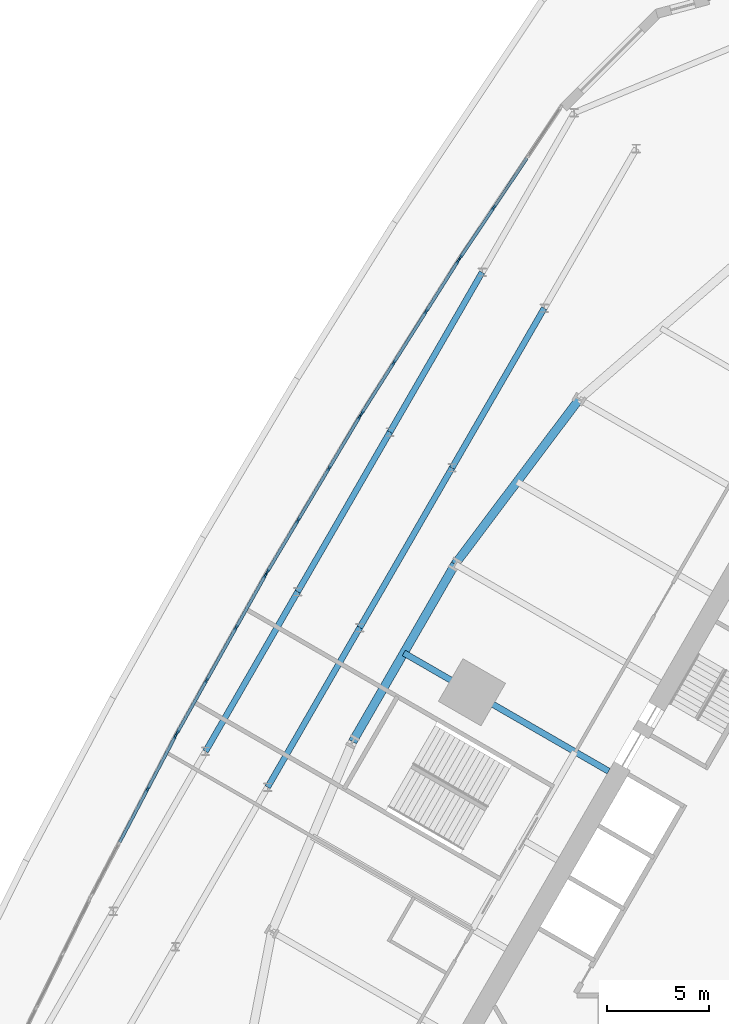
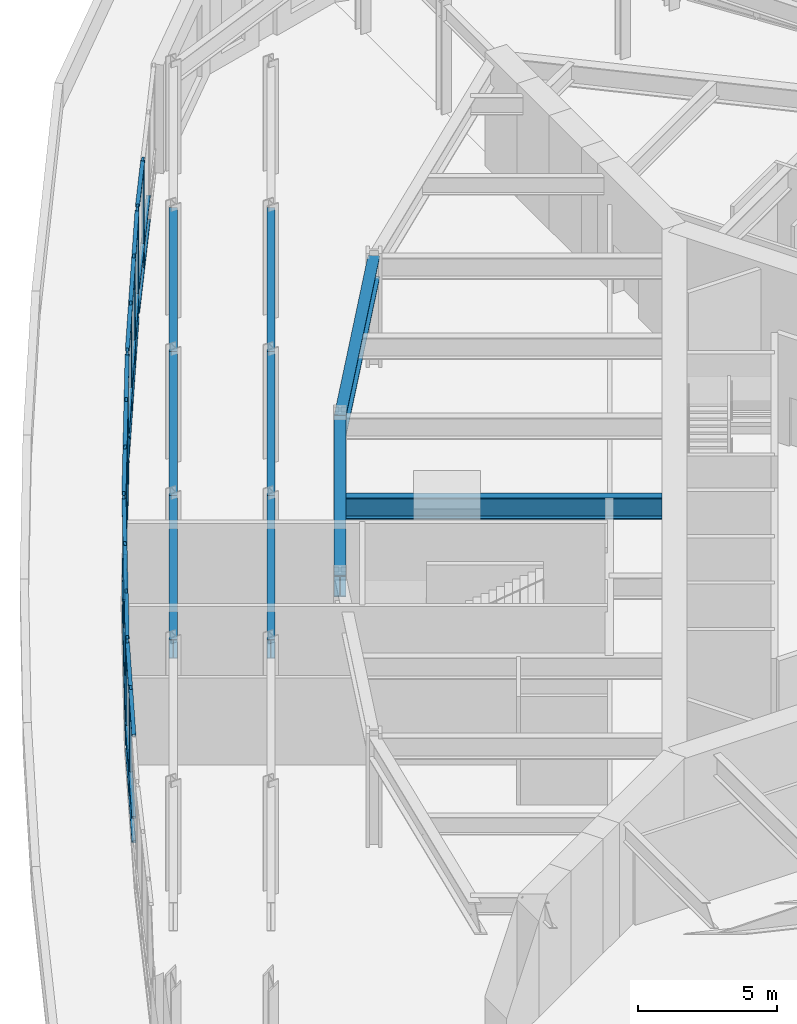
# One storey, part 5 of 20: 54 members, 9 beams, 5 elements without a shape of their own.
"""IFC4 building model written with IfcOpenShell, lengths in metres."""

from ifc_helpers import new_model, si_unit, direction, frame, origin, origin_2d, place, context, subcontext, project, spatial, rectangle, i_section, extrude, material, material_profile, profile_set, type_object, element, aggregate, save


model = new_model("IFC4")

# Units and contexts
model_context = context("Model", 3, precision=1e-05, world=origin(), true_north=direction((0.0, 1.0)))
body_context = subcontext(model_context, "Body", "Model", "MODEL_VIEW")
ifc_project = project(units=[si_unit("LENGTHUNIT", "METRE"), si_unit("AREAUNIT", "SQUARE_METRE"), si_unit("VOLUMEUNIT", "CUBIC_METRE"), si_unit("PLANEANGLEUNIT", "RADIAN"), si_unit("MASSUNIT", "GRAM", prefix="KILO")], contexts=[model_context])

# Site, building, storey
site_placement = place(None, origin())
site = spatial("IfcSite", under=ifc_project, at=site_placement, CompositionType="ELEMENT")
building_placement = place(site_placement, origin())
building = spatial("IfcBuilding", under=site, at=building_placement, Name="Trikona Tower", CompositionType="ELEMENT")
storey_placement = place(building_placement, frame((0.0, 0.0, 6.0)))
storey = spatial("IfcBuildingStorey", under=building, at=storey_placement, Name="L01", CompositionType="ELEMENT", Elevation=6.0)

# Curtain wall, members
ifc_material_1 = material(Name="Aluminium curtain wall system", Category="aluminium")
curtain_wall_type = type_object("IfcCurtainWallType", Name="Curtain wall PD", PredefinedType="NOTDEFINED", material=ifc_material_1)
curtain_wall_1_placement = place(storey_placement, origin())
curtain_wall_1 = element("IfcCurtainWall", 1, at=curtain_wall_1_placement, inside=storey, type_object=curtain_wall_type, Name="Curtain wall PD L01", PredefinedType="NOTDEFINED")
ifc_material_2 = material(Name="Aluminium mullion, pale anodised", Category="aluminium")
ifc_material_profile_1 = material_profile(ifc_material_2, rectangle(XDim=0.090087890625, YDim=0.25, at=origin_2d()), Name="MUL-PD")
ifc_profile_set_1 = profile_set([ifc_material_profile_1], Name="Aluminium mullion, pale anodised")
member_type_1 = type_object("IfcMemberType", Name="Mullion PD 90x250", PredefinedType="MULLION", material=ifc_profile_set_1)
member_1_placement = place(storey_placement, frame((-14.252197265625, 32.49267578125, 0.0), z_axis=(0.0, 0.0, 1.0), x_axis=(0.830852165155, -0.556493198213, 0.0)))
member_1 = element("IfcMember", 2, at=member_1_placement, type_object=member_type_1, Name="CW-PD mullion 3", PredefinedType="MULLION", context=body_context, shape_type="SweptSolid", body=[
    extrude(rectangle(XDim=0.090087890625, YDim=0.25, at=origin_2d()), origin(), (0.0, 0.0, 1.0), 4.75),
])
member_2_placement = place(storey_placement, frame((-15.878173828125, 30.065185546875, 0.0), z_axis=(0.0, 0.0, 1.0), x_axis=(0.830852165155, -0.556493198213, 0.0)))
member_2 = element("IfcMember", 3, at=member_2_placement, type_object=member_type_1, Name="CW-PD mullion 4", PredefinedType="MULLION", context=body_context, shape_type="SweptSolid", body=[
    extrude(rectangle(XDim=0.090087890625, YDim=0.25, at=origin_2d()), origin(), (0.0, 0.0, 1.0), 4.75),
])

curtain_wall_2_placement = place(storey_placement, origin())
curtain_wall_2 = element("IfcCurtainWall", 4, at=curtain_wall_2_placement, inside=storey, type_object=curtain_wall_type, Name="Curtain wall PD L01", PredefinedType="NOTDEFINED")
member_3_placement = place(storey_placement, frame((-15.9912109375, 29.891357421875, 0.0), z_axis=(0.0, 0.0, 1.0), x_axis=(0.845347966079, -0.534216076365, 0.0)))
member_3 = element("IfcMember", 5, at=member_3_placement, type_object=member_type_1, Name="CW-PD mullion 1", PredefinedType="MULLION", context=body_context, shape_type="SweptSolid", body=[
    extrude(rectangle(XDim=0.090087890625, YDim=0.25, at=origin_2d()), origin(), (0.0, 0.0, 1.0), 4.75),
])
member_4_placement = place(storey_placement, frame((-17.549560546875, 27.425048828125, 0.0), z_axis=(0.0, 0.0, 1.0), x_axis=(0.845347966079, -0.534216076365, 0.0)))
member_4 = element("IfcMember", 6, at=member_4_placement, type_object=member_type_1, Name="CW-PD mullion 2", PredefinedType="MULLION", context=body_context, shape_type="SweptSolid", body=[
    extrude(rectangle(XDim=0.090087890625, YDim=0.25, at=origin_2d()), origin(), (0.0, 0.0, 1.0), 4.75),
])
member_5_placement = place(storey_placement, frame((-19.13232421875, 24.9208984375, 0.0), z_axis=(0.0, 0.0, 1.0), x_axis=(0.845347966079, -0.534216076365, 0.0)))
member_5 = element("IfcMember", 7, at=member_5_placement, type_object=member_type_1, Name="CW-PD mullion 3", PredefinedType="MULLION", context=body_context, shape_type="SweptSolid", body=[
    extrude(rectangle(XDim=0.090087890625, YDim=0.25, at=origin_2d()), origin(), (0.0, 0.0, 1.0), 4.75),
])
member_6_placement = place(storey_placement, frame((-20.690673828125, 22.45458984375, 0.0), z_axis=(0.0, 0.0, 1.0), x_axis=(0.845347966079, -0.534216076365, 0.0)))
member_6 = element("IfcMember", 8, at=member_6_placement, type_object=member_type_1, Name="CW-PD mullion 4", PredefinedType="MULLION", context=body_context, shape_type="SweptSolid", body=[
    extrude(rectangle(XDim=0.090087890625, YDim=0.25, at=origin_2d()), origin(), (0.0, 0.0, 1.0), 4.75),
])

curtain_wall_3_placement = place(storey_placement, origin())
curtain_wall_3 = element("IfcCurtainWall", 9, at=curtain_wall_3_placement, inside=storey, type_object=curtain_wall_type, Name="Curtain wall PD L01", PredefinedType="NOTDEFINED")
member_7_placement = place(storey_placement, frame((-20.79931640625, 22.27783203125, 0.0), z_axis=(0.0, 0.0, 1.0), x_axis=(0.859284046673, -0.511498706873, 0.0)))
member_7 = element("IfcMember", 10, at=member_7_placement, type_object=member_type_1, Name="CW-PD mullion 1", PredefinedType="MULLION", context=body_context, shape_type="SweptSolid", body=[
    extrude(rectangle(XDim=0.090087890625, YDim=0.25, at=origin_2d()), origin(), (0.0, 0.0, 1.0), 4.75),
])
member_8_placement = place(storey_placement, frame((-22.290283203125, 19.77294921875, 0.0), z_axis=(0.0, 0.0, 1.0), x_axis=(0.859284046673, -0.511498706873, 0.0)))
member_8 = element("IfcMember", 11, at=member_8_placement, type_object=member_type_1, Name="CW-PD mullion 2", PredefinedType="MULLION", context=body_context, shape_type="SweptSolid", body=[
    extrude(rectangle(XDim=0.090087890625, YDim=0.25, at=origin_2d()), origin(), (0.0, 0.0, 1.0), 4.75),
])
member_9_placement = place(storey_placement, frame((-23.804443359375, 17.229248046875, 0.0), z_axis=(0.0, 0.0, 1.0), x_axis=(0.859284046673, -0.511498706873, 0.0)))
member_9 = element("IfcMember", 12, at=member_9_placement, type_object=member_type_1, Name="CW-PD mullion 3", PredefinedType="MULLION", context=body_context, shape_type="SweptSolid", body=[
    extrude(rectangle(XDim=0.090087890625, YDim=0.25, at=origin_2d()), origin(), (0.0, 0.0, 1.0), 4.75),
])
member_10_placement = place(storey_placement, frame((-25.295654296875, 14.72412109375, 0.0), z_axis=(0.0, 0.0, 1.0), x_axis=(0.859284046673, -0.511498706873, 0.0)))
member_10 = element("IfcMember", 13, at=member_10_placement, type_object=member_type_1, Name="CW-PD mullion 4", PredefinedType="MULLION", context=body_context, shape_type="SweptSolid", body=[
    extrude(rectangle(XDim=0.090087890625, YDim=0.25, at=origin_2d()), origin(), (0.0, 0.0, 1.0), 4.75),
])

curtain_wall_4_placement = place(storey_placement, origin())
curtain_wall_4 = element("IfcCurtainWall", 14, at=curtain_wall_4_placement, inside=storey, type_object=curtain_wall_type, Name="Curtain wall PD L01", PredefinedType="NOTDEFINED")
member_11_placement = place(storey_placement, frame((-25.399169921875, 14.544677734375, 0.0), z_axis=(0.0, 0.0, 1.0), x_axis=(0.872612562908, -0.488413057825, 0.0)))
member_11 = element("IfcMember", 15, at=member_11_placement, type_object=member_type_1, Name="CW-PD mullion 1", PredefinedType="MULLION", context=body_context, shape_type="SweptSolid", body=[
    extrude(rectangle(XDim=0.090087890625, YDim=0.25, at=origin_2d()), origin(), (0.0, 0.0, 1.0), 4.75),
])
member_12_placement = place(storey_placement, frame((-26.8232421875, 12.000732421875, 0.0), z_axis=(0.0, 0.0, 1.0), x_axis=(0.872612562908, -0.488413057825, 0.0)))
member_12 = element("IfcMember", 16, at=member_12_placement, type_object=member_type_1, Name="CW-PD mullion 2", PredefinedType="MULLION", context=body_context, shape_type="SweptSolid", body=[
    extrude(rectangle(XDim=0.090087890625, YDim=0.25, at=origin_2d()), origin(), (0.0, 0.0, 1.0), 4.75),
])
member_13_placement = place(storey_placement, frame((-28.26904296875, 9.41748046875, 0.0), z_axis=(0.0, 0.0, 1.0), x_axis=(0.872612562908, -0.488413057825, 0.0)))
member_13 = element("IfcMember", 17, at=member_13_placement, type_object=member_type_1, Name="CW-PD mullion 3", PredefinedType="MULLION", context=body_context, shape_type="SweptSolid", body=[
    extrude(rectangle(XDim=0.090087890625, YDim=0.25, at=origin_2d()), origin(), (0.0, 0.0, 1.0), 4.75),
])
member_14_placement = place(storey_placement, frame((-29.69287109375, 6.873779296875, 0.0), z_axis=(0.0, 0.0, 1.0), x_axis=(0.872612562908, -0.488413057825, 0.0)))
member_14 = element("IfcMember", 18, at=member_14_placement, type_object=member_type_1, Name="CW-PD mullion 4", PredefinedType="MULLION", context=body_context, shape_type="SweptSolid", body=[
    extrude(rectangle(XDim=0.090087890625, YDim=0.25, at=origin_2d()), origin(), (0.0, 0.0, 1.0), 4.75),
])

curtain_wall_5_placement = place(storey_placement, origin())
curtain_wall_5 = element("IfcCurtainWall", 19, at=curtain_wall_5_placement, inside=storey, type_object=curtain_wall_type, Name="Curtain wall PD L01", PredefinedType="NOTDEFINED")
member_15_placement = place(storey_placement, frame((-29.791748046875, 6.69140625, 0.0), z_axis=(0.0, 0.0, 1.0), x_axis=(0.88532159647, -0.464979215476, 0.0)))
member_15 = element("IfcMember", 20, at=member_15_placement, type_object=member_type_1, Name="CW-PD mullion 1", PredefinedType="MULLION", context=body_context, shape_type="SweptSolid", body=[
    extrude(rectangle(XDim=0.090087890625, YDim=0.25, at=origin_2d()), origin(), (0.0, 0.0, 1.0), 4.75),
])
member_16_placement = place(storey_placement, frame((-31.148193359375, 4.108642578125, 0.0), z_axis=(0.0, 0.0, 1.0), x_axis=(0.88532159647, -0.464979215476, 0.0)))
member_16 = element("IfcMember", 21, at=member_16_placement, type_object=member_type_1, Name="CW-PD mullion 2", PredefinedType="MULLION", context=body_context, shape_type="SweptSolid", body=[
    extrude(rectangle(XDim=0.090087890625, YDim=0.25, at=origin_2d()), origin(), (0.0, 0.0, 1.0), 4.75),
])

# Beams
ifc_material_3 = material(Name="Steel ASTM A992 Grade 50", Category="steel")
ifc_material_profile_2 = material_profile(ifc_material_3, i_section(OverallWidth=0.2919921875, OverallDepth=0.845703125, WebThickness=0.015380859375, FlangeThickness=0.0244140625, at=origin_2d()), Name="W33X141")
ifc_profile_set_2 = profile_set([ifc_material_profile_2], Name="Steel ASTM A992 Grade 50")
beam_type_1 = type_object("IfcBeamType", Name="Steel beam W33x141 (pod girder)", PredefinedType="BEAM", material=ifc_profile_set_2)
for number, where, z_axis, x_axis, name in (
    (22, (-11.78466796875, 27.58837890625, 4.3271484375), (-0.5000018851, -0.866024315419, 0.0), (0.866024315419, -0.5000018851, 0.0), "Podium beam L02 GR24F2m18-R24F2m9"),
    (23, (-16.28466796875, 19.794189453125, 4.3271484375), (-0.5000018851, -0.866024315419, 0.0), (0.866024315419, -0.5000018851, 0.0), "Podium beam L02 GR24F2m9-R24F2p0"),
    (24, (-20.78466796875, 12.0, 4.3271484375), (-0.5000018851, -0.866024315419, 0.0), (0.866024315419, -0.5000018851, 0.0), "Podium beam L02 GR24F2p0-R24F2p9"),
    (25, (-14.815673828125, 29.33837890625, 4.3271484375), (-0.5000018851, -0.866024315419, 0.0), (0.866024315419, -0.5000018851, 0.0), "Podium beam L02 GR27.5F2m18-R27.5F2m9"),
    (26, (-19.315673828125, 21.544189453125, 4.3271484375), (-0.5000018851, -0.866024315419, 0.0), (0.866024315419, -0.5000018851, 0.0), "Podium beam L02 GR27.5F2m9-R27.5F2p0"),
    (27, (-23.815673828125, 13.75, 4.3271484375), (-0.5000018851, -0.866024315419, 0.0), (0.866024315419, -0.5000018851, 0.0), "Podium beam L02 GR27.5F2p0-R27.5F2p9"),
):
    element("IfcBeam", number, at=place(storey_placement, frame(where, z_axis=z_axis, x_axis=x_axis)), inside=storey, type_object=beam_type_1, Name=name, PredefinedType="BEAM", context=body_context, shape_type="SweptSolid", body=[
        extrude(i_section(OverallWidth=0.2919921875, OverallDepth=0.845703125, WebThickness=0.015380859375, FlangeThickness=0.0244140625, at=origin_2d()), origin(), (0.0, 0.0, 1.0), 9.0),
    ])
ifc_material_4 = material(Name="Steel ASTM A992 Grade 50", Category="steel")
ifc_material_profile_3 = material_profile(ifc_material_4, i_section(OverallWidth=0.307373046875, OverallDepth=0.9423828125, WebThickness=0.022216796875, FlangeThickness=0.039794921875, at=origin_2d()), Name="W36X232")
ifc_profile_set_3 = profile_set([ifc_material_profile_3], Name="Steel ASTM A992 Grade 50")
beam_type_2 = type_object("IfcBeamType", Name="Steel beam W36x232 (radial low)", PredefinedType="BEAM", material=ifc_profile_set_3)
beam_1_placement = place(storey_placement, frame((-8.6396484375, 4.988037109375, 4.27880859375), z_axis=(-0.866020765707, 0.500008033299, 0.0), x_axis=(-0.500008033299, -0.866020765707, 0.0)))
element("IfcBeam", 28, at=beam_1_placement, inside=storey, type_object=beam_type_2, Name="Floor beam L02 F3 u0", PredefinedType="BEAM", context=body_context, shape_type="SweptSolid", body=[
    extrude(i_section(OverallWidth=0.307373046875, OverallDepth=0.9423828125, WebThickness=0.022216796875, FlangeThickness=0.039794921875, at=origin_2d()), origin(), (0.0, 0.0, 1.0), 11.544189453125),
])
ifc_material_5 = material(Name="Steel ASTM A992 Grade 50", Category="steel")
ifc_material_profile_4 = material_profile(ifc_material_5, i_section(OverallWidth=0.424072265625, OverallDepth=0.947509765625, WebThickness=0.02392578125, FlangeThickness=0.042724609375, at=origin_2d()), Name="W36X302")
ifc_profile_set_4 = profile_set([ifc_material_profile_4], Name="Steel ASTM A992 Grade 50")
beam_type_3 = type_object("IfcBeamType", Name="Steel beam W36x302 (pod tower spandrel)", PredefinedType="BEAM", material=ifc_profile_set_4)
beam_2_placement = place(storey_placement, frame((-10.0830078125, 23.141845703125, 4.2763671875), z_axis=(-0.600988344191, -0.799257787042, 0.0), x_axis=(0.799257787042, -0.600988344191, 0.0)))
element("IfcBeam", 29, at=beam_2_placement, inside=storey, type_object=beam_type_3, Name="Spandrel beam L02 F3-2", PredefinedType="BEAM", context=body_context, shape_type="SweptSolid", body=[
    extrude(i_section(OverallWidth=0.424072265625, OverallDepth=0.947509765625, WebThickness=0.02392578125, FlangeThickness=0.042724609375, at=origin_2d()), origin(), (0.0, 0.0, 1.0), 10.07373046875),
])
beam_3_placement = place(storey_placement, frame((-16.13720703125, 15.09033203125, 4.2763671875), z_axis=(-0.500004234368, -0.866022959057, 0.0), x_axis=(0.866022959057, -0.500004234368, 0.0)))
element("IfcBeam", 30, at=beam_3_placement, inside=storey, type_object=beam_type_3, Name="Spandrel beam L02 F3-3", PredefinedType="BEAM", context=body_context, shape_type="SweptSolid", body=[
    extrude(i_section(OverallWidth=0.424072265625, OverallDepth=0.947509765625, WebThickness=0.02392578125, FlangeThickness=0.042724609375, at=origin_2d()), origin(), (0.0, 0.0, 1.0), 10.0),
])

# Member
ifc_material_6 = material(Name="Aluminium transom, pale anodised", Category="aluminium")
ifc_material_profile_5 = material_profile(ifc_material_6, rectangle(XDim=0.14990234375, YDim=0.090087890625, at=origin_2d()), Name="TRN-PD")
ifc_profile_set_5 = profile_set([ifc_material_profile_5], Name="Aluminium transom, pale anodised")
member_type_2 = type_object("IfcMemberType", Name="Transom PD 90x150", PredefinedType="USERDEFINED", material=ifc_profile_set_5)
member_17_placement = place(storey_placement, frame((-12.626220703125, 34.920166015625, 0.044921875), z_axis=(-0.556481157106, -0.830860229994, 0.0), x_axis=(0.830860229994, -0.556481157106, 0.0)))
member_17 = element("IfcMember", 31, at=member_17_placement, type_object=member_type_2, Name="CW-PD transom 2.1", ObjectType="TRANSOM", PredefinedType="USERDEFINED", context=body_context, shape_type="SweptSolid", body=[
    extrude(rectangle(XDim=0.14990234375, YDim=0.090087890625, at=origin_2d()), origin(), (0.0, 0.0, 1.0), 2.876708984375),
])

member_18_placement = place(storey_placement, frame((-12.626220703125, 34.920166015625, 1.10009765625), z_axis=(-0.556481157106, -0.830860229994, 0.0), x_axis=(0.830860229994, -0.556481157106, 0.0)))
member_18 = element("IfcMember", 32, at=member_18_placement, type_object=member_type_2, Name="CW-PD transom 2.2", ObjectType="TRANSOM", PredefinedType="USERDEFINED", context=body_context, shape_type="SweptSolid", body=[
    extrude(rectangle(XDim=0.14990234375, YDim=0.090087890625, at=origin_2d()), origin(), (0.0, 0.0, 1.0), 2.876708984375),
])

member_19_placement = place(storey_placement, frame((-14.277099609375, 32.455078125, 0.044921875), z_axis=(-0.556549235475, -0.83081462944, 0.0), x_axis=(0.83081462944, -0.556549235475, 0.0)))
member_19 = element("IfcMember", 33, at=member_19_placement, type_object=member_type_2, Name="CW-PD transom 3.1", ObjectType="TRANSOM", PredefinedType="USERDEFINED", context=body_context, shape_type="SweptSolid", body=[
    extrude(rectangle(XDim=0.14990234375, YDim=0.090087890625, at=origin_2d()), origin(), (0.0, 0.0, 1.0), 2.83154296875),
])

member_20_placement = place(storey_placement, frame((-14.277099609375, 32.455078125, 1.10009765625), z_axis=(-0.556549235475, -0.83081462944, 0.0), x_axis=(0.83081462944, -0.556549235475, 0.0)))
member_20 = element("IfcMember", 34, at=member_20_placement, type_object=member_type_2, Name="CW-PD transom 3.2", ObjectType="TRANSOM", PredefinedType="USERDEFINED", context=body_context, shape_type="SweptSolid", body=[
    extrude(rectangle(XDim=0.14990234375, YDim=0.090087890625, at=origin_2d()), origin(), (0.0, 0.0, 1.0), 2.83154296875),
])

member_21_placement = place(storey_placement, frame((-14.277099609375, 32.455078125, 4.705078125), z_axis=(-0.556549235475, -0.83081462944, 0.0), x_axis=(0.83081462944, -0.556549235475, 0.0)))
member_21 = element("IfcMember", 35, at=member_21_placement, type_object=member_type_2, Name="CW-PD transom 3.3", ObjectType="TRANSOM", PredefinedType="USERDEFINED", context=body_context, shape_type="SweptSolid", body=[
    extrude(rectangle(XDim=0.14990234375, YDim=0.090087890625, at=origin_2d()), origin(), (0.0, 0.0, 1.0), 2.83154296875),
])

aggregate(curtain_wall_1, [member_1, member_2, member_17, member_18, member_19, member_20, member_21])

member_22_placement = place(storey_placement, frame((-16.01513671875, 29.853271484375, 0.044921875), z_axis=(-0.534230125958, -0.845339087301, 0.0), x_axis=(0.845339087301, -0.534230125958, 0.0)))
member_22 = element("IfcMember", 36, at=member_22_placement, type_object=member_type_2, Name="CW-PD transom 1.1", ObjectType="TRANSOM", PredefinedType="USERDEFINED", context=body_context, shape_type="SweptSolid", body=[
    extrude(rectangle(XDim=0.14990234375, YDim=0.090087890625, at=origin_2d()), origin(), (0.0, 0.0, 1.0), 2.827392578125),
])

member_23_placement = place(storey_placement, frame((-16.01513671875, 29.853271484375, 1.10009765625), z_axis=(-0.534230125958, -0.845339087301, 0.0), x_axis=(0.845339087301, -0.534230125958, 0.0)))
member_23 = element("IfcMember", 37, at=member_23_placement, type_object=member_type_2, Name="CW-PD transom 1.2", ObjectType="TRANSOM", PredefinedType="USERDEFINED", context=body_context, shape_type="SweptSolid", body=[
    extrude(rectangle(XDim=0.14990234375, YDim=0.090087890625, at=origin_2d()), origin(), (0.0, 0.0, 1.0), 2.827392578125),
])

member_24_placement = place(storey_placement, frame((-16.01513671875, 29.853271484375, 4.705078125), z_axis=(-0.534230125958, -0.845339087301, 0.0), x_axis=(0.845339087301, -0.534230125958, 0.0)))
member_24 = element("IfcMember", 38, at=member_24_placement, type_object=member_type_2, Name="CW-PD transom 1.3", ObjectType="TRANSOM", PredefinedType="USERDEFINED", context=body_context, shape_type="SweptSolid", body=[
    extrude(rectangle(XDim=0.14990234375, YDim=0.090087890625, at=origin_2d()), origin(), (0.0, 0.0, 1.0), 2.827392578125),
])

member_25_placement = place(storey_placement, frame((-17.57373046875, 27.38720703125, 0.044921875), z_axis=(-0.534194439951, -0.845361638783, 0.0), x_axis=(0.845361638783, -0.534194439951, 0.0)))
member_25 = element("IfcMember", 39, at=member_25_placement, type_object=member_type_2, Name="CW-PD transom 2.1", ObjectType="TRANSOM", PredefinedType="USERDEFINED", context=body_context, shape_type="SweptSolid", body=[
    extrude(rectangle(XDim=0.14990234375, YDim=0.090087890625, at=origin_2d()), origin(), (0.0, 0.0, 1.0), 2.872314453125),
])

member_26_placement = place(storey_placement, frame((-17.57373046875, 27.38720703125, 1.10009765625), z_axis=(-0.534194439951, -0.845361638783, 0.0), x_axis=(0.845361638783, -0.534194439951, 0.0)))
member_26 = element("IfcMember", 40, at=member_26_placement, type_object=member_type_2, Name="CW-PD transom 2.2", ObjectType="TRANSOM", PredefinedType="USERDEFINED", context=body_context, shape_type="SweptSolid", body=[
    extrude(rectangle(XDim=0.14990234375, YDim=0.090087890625, at=origin_2d()), origin(), (0.0, 0.0, 1.0), 2.872314453125),
])

member_27_placement = place(storey_placement, frame((-17.57373046875, 27.38720703125, 4.705078125), z_axis=(-0.534194439951, -0.845361638783, 0.0), x_axis=(0.845361638783, -0.534194439951, 0.0)))
member_27 = element("IfcMember", 41, at=member_27_placement, type_object=member_type_2, Name="CW-PD transom 2.3", ObjectType="TRANSOM", PredefinedType="USERDEFINED", context=body_context, shape_type="SweptSolid", body=[
    extrude(rectangle(XDim=0.14990234375, YDim=0.090087890625, at=origin_2d()), origin(), (0.0, 0.0, 1.0), 2.872314453125),
])

member_28_placement = place(storey_placement, frame((-19.15625, 24.8828125, 0.044921875), z_axis=(-0.534230125958, -0.845339087301, 0.0), x_axis=(0.845339087301, -0.534230125958, 0.0)))
member_28 = element("IfcMember", 42, at=member_28_placement, type_object=member_type_2, Name="CW-PD transom 3.1", ObjectType="TRANSOM", PredefinedType="USERDEFINED", context=body_context, shape_type="SweptSolid", body=[
    extrude(rectangle(XDim=0.14990234375, YDim=0.090087890625, at=origin_2d()), origin(), (0.0, 0.0, 1.0), 2.827392578125),
])

member_29_placement = place(storey_placement, frame((-19.15625, 24.8828125, 1.10009765625), z_axis=(-0.534230125958, -0.845339087301, 0.0), x_axis=(0.845339087301, -0.534230125958, 0.0)))
member_29 = element("IfcMember", 43, at=member_29_placement, type_object=member_type_2, Name="CW-PD transom 3.2", ObjectType="TRANSOM", PredefinedType="USERDEFINED", context=body_context, shape_type="SweptSolid", body=[
    extrude(rectangle(XDim=0.14990234375, YDim=0.090087890625, at=origin_2d()), origin(), (0.0, 0.0, 1.0), 2.827392578125),
])

member_30_placement = place(storey_placement, frame((-19.15625, 24.8828125, 4.705078125), z_axis=(-0.534230125958, -0.845339087301, 0.0), x_axis=(0.845339087301, -0.534230125958, 0.0)))
member_30 = element("IfcMember", 44, at=member_30_placement, type_object=member_type_2, Name="CW-PD transom 3.3", ObjectType="TRANSOM", PredefinedType="USERDEFINED", context=body_context, shape_type="SweptSolid", body=[
    extrude(rectangle(XDim=0.14990234375, YDim=0.090087890625, at=origin_2d()), origin(), (0.0, 0.0, 1.0), 2.827392578125),
])

aggregate(curtain_wall_2, [member_3, member_4, member_5, member_6, member_22, member_23, member_24, member_25, member_26, member_27, member_28, member_29, member_30])

member_31_placement = place(storey_placement, frame((-20.822265625, 22.2392578125, 0.044921875), z_axis=(-0.51148082137, -0.859294692972, 0.0), x_axis=(0.859294692972, -0.51148082137, 0.0)))
member_31 = element("IfcMember", 45, at=member_31_placement, type_object=member_type_2, Name="CW-PD transom 1.1", ObjectType="TRANSOM", PredefinedType="USERDEFINED", context=body_context, shape_type="SweptSolid", body=[
    extrude(rectangle(XDim=0.14990234375, YDim=0.090087890625, at=origin_2d()), origin(), (0.0, 0.0, 1.0), 2.8251953125),
])

member_32_placement = place(storey_placement, frame((-20.822265625, 22.2392578125, 1.10009765625), z_axis=(-0.51148082137, -0.859294692972, 0.0), x_axis=(0.859294692972, -0.51148082137, 0.0)))
member_32 = element("IfcMember", 46, at=member_32_placement, type_object=member_type_2, Name="CW-PD transom 1.2", ObjectType="TRANSOM", PredefinedType="USERDEFINED", context=body_context, shape_type="SweptSolid", body=[
    extrude(rectangle(XDim=0.14990234375, YDim=0.090087890625, at=origin_2d()), origin(), (0.0, 0.0, 1.0), 2.8251953125),
])

member_33_placement = place(storey_placement, frame((-20.822265625, 22.2392578125, 4.705078125), z_axis=(-0.51148082137, -0.859294692972, 0.0), x_axis=(0.859294692972, -0.51148082137, 0.0)))
member_33 = element("IfcMember", 47, at=member_33_placement, type_object=member_type_2, Name="CW-PD transom 1.3", ObjectType="TRANSOM", PredefinedType="USERDEFINED", context=body_context, shape_type="SweptSolid", body=[
    extrude(rectangle(XDim=0.14990234375, YDim=0.090087890625, at=origin_2d()), origin(), (0.0, 0.0, 1.0), 2.8251953125),
])

member_34_placement = place(storey_placement, frame((-22.3134765625, 19.734130859375, 0.044921875), z_axis=(-0.511477877998, -0.859296444959, 0.0), x_axis=(0.859296444959, -0.511477877998, 0.0)))
member_34 = element("IfcMember", 48, at=member_34_placement, type_object=member_type_2, Name="CW-PD transom 2.1", ObjectType="TRANSOM", PredefinedType="USERDEFINED", context=body_context, shape_type="SweptSolid", body=[
    extrude(rectangle(XDim=0.14990234375, YDim=0.090087890625, at=origin_2d()), origin(), (0.0, 0.0, 1.0), 2.8701171875),
])

member_35_placement = place(storey_placement, frame((-22.3134765625, 19.734130859375, 1.10009765625), z_axis=(-0.511477877998, -0.859296444959, 0.0), x_axis=(0.859296444959, -0.511477877998, 0.0)))
member_35 = element("IfcMember", 49, at=member_35_placement, type_object=member_type_2, Name="CW-PD transom 2.2", ObjectType="TRANSOM", PredefinedType="USERDEFINED", context=body_context, shape_type="SweptSolid", body=[
    extrude(rectangle(XDim=0.14990234375, YDim=0.090087890625, at=origin_2d()), origin(), (0.0, 0.0, 1.0), 2.8701171875),
])

member_36_placement = place(storey_placement, frame((-22.3134765625, 19.734130859375, 4.705078125), z_axis=(-0.511477877998, -0.859296444959, 0.0), x_axis=(0.859296444959, -0.511477877998, 0.0)))
member_36 = element("IfcMember", 50, at=member_36_placement, type_object=member_type_2, Name="CW-PD transom 2.3", ObjectType="TRANSOM", PredefinedType="USERDEFINED", context=body_context, shape_type="SweptSolid", body=[
    extrude(rectangle(XDim=0.14990234375, YDim=0.090087890625, at=origin_2d()), origin(), (0.0, 0.0, 1.0), 2.8701171875),
])

member_37_placement = place(storey_placement, frame((-23.82763671875, 17.1904296875, 0.044921875), z_axis=(-0.511518803475, -0.859272083621, 0.0), x_axis=(0.859272083621, -0.511518803475, 0.0)))
member_37 = element("IfcMember", 51, at=member_37_placement, type_object=member_type_2, Name="CW-PD transom 3.1", ObjectType="TRANSOM", PredefinedType="USERDEFINED", context=body_context, shape_type="SweptSolid", body=[
    extrude(rectangle(XDim=0.14990234375, YDim=0.090087890625, at=origin_2d()), origin(), (0.0, 0.0, 1.0), 2.824951171875),
])

member_38_placement = place(storey_placement, frame((-23.82763671875, 17.1904296875, 1.10009765625), z_axis=(-0.511518803475, -0.859272083621, 0.0), x_axis=(0.859272083621, -0.511518803475, 0.0)))
member_38 = element("IfcMember", 52, at=member_38_placement, type_object=member_type_2, Name="CW-PD transom 3.2", ObjectType="TRANSOM", PredefinedType="USERDEFINED", context=body_context, shape_type="SweptSolid", body=[
    extrude(rectangle(XDim=0.14990234375, YDim=0.090087890625, at=origin_2d()), origin(), (0.0, 0.0, 1.0), 2.824951171875),
])

member_39_placement = place(storey_placement, frame((-23.82763671875, 17.1904296875, 4.705078125), z_axis=(-0.511518803475, -0.859272083621, 0.0), x_axis=(0.859272083621, -0.511518803475, 0.0)))
member_39 = element("IfcMember", 53, at=member_39_placement, type_object=member_type_2, Name="CW-PD transom 3.3", ObjectType="TRANSOM", PredefinedType="USERDEFINED", context=body_context, shape_type="SweptSolid", body=[
    extrude(rectangle(XDim=0.14990234375, YDim=0.090087890625, at=origin_2d()), origin(), (0.0, 0.0, 1.0), 2.824951171875),
])

aggregate(curtain_wall_3, [member_7, member_8, member_9, member_10, member_31, member_32, member_33, member_34, member_35, member_36, member_37, member_38, member_39])

member_40_placement = place(storey_placement, frame((-25.421142578125, 14.50537109375, 0.044921875), z_axis=(-0.488479694628, -0.872575262047, 0.0), x_axis=(0.872575262047, -0.488479694628, 0.0)))
member_40 = element("IfcMember", 54, at=member_40_placement, type_object=member_type_2, Name="CW-PD transom 1.1", ObjectType="TRANSOM", PredefinedType="USERDEFINED", context=body_context, shape_type="SweptSolid", body=[
    extrude(rectangle(XDim=0.14990234375, YDim=0.090087890625, at=origin_2d()), origin(), (0.0, 0.0, 1.0), 2.825439453125),
])

member_41_placement = place(storey_placement, frame((-25.421142578125, 14.50537109375, 1.10009765625), z_axis=(-0.488479694628, -0.872575262047, 0.0), x_axis=(0.872575262047, -0.488479694628, 0.0)))
member_41 = element("IfcMember", 55, at=member_41_placement, type_object=member_type_2, Name="CW-PD transom 1.2", ObjectType="TRANSOM", PredefinedType="USERDEFINED", context=body_context, shape_type="SweptSolid", body=[
    extrude(rectangle(XDim=0.14990234375, YDim=0.090087890625, at=origin_2d()), origin(), (0.0, 0.0, 1.0), 2.825439453125),
])

member_42_placement = place(storey_placement, frame((-25.421142578125, 14.50537109375, 4.705078125), z_axis=(-0.488479694628, -0.872575262047, 0.0), x_axis=(0.872575262047, -0.488479694628, 0.0)))
member_42 = element("IfcMember", 56, at=member_42_placement, type_object=member_type_2, Name="CW-PD transom 1.3", ObjectType="TRANSOM", PredefinedType="USERDEFINED", context=body_context, shape_type="SweptSolid", body=[
    extrude(rectangle(XDim=0.14990234375, YDim=0.090087890625, at=origin_2d()), origin(), (0.0, 0.0, 1.0), 2.825439453125),
])

member_43_placement = place(storey_placement, frame((-26.84521484375, 11.96142578125, 0.044921875), z_axis=(-0.488406509543, -0.872616228039, 0.0), x_axis=(0.872616228039, -0.488406509543, 0.0)))
member_43 = element("IfcMember", 57, at=member_43_placement, type_object=member_type_2, Name="CW-PD transom 2.1", ObjectType="TRANSOM", PredefinedType="USERDEFINED", context=body_context, shape_type="SweptSolid", body=[
    extrude(rectangle(XDim=0.14990234375, YDim=0.090087890625, at=origin_2d()), origin(), (0.0, 0.0, 1.0), 2.870361328125),
])

member_44_placement = place(storey_placement, frame((-26.84521484375, 11.96142578125, 1.10009765625), z_axis=(-0.488406509543, -0.872616228039, 0.0), x_axis=(0.872616228039, -0.488406509543, 0.0)))
member_44 = element("IfcMember", 58, at=member_44_placement, type_object=member_type_2, Name="CW-PD transom 2.2", ObjectType="TRANSOM", PredefinedType="USERDEFINED", context=body_context, shape_type="SweptSolid", body=[
    extrude(rectangle(XDim=0.14990234375, YDim=0.090087890625, at=origin_2d()), origin(), (0.0, 0.0, 1.0), 2.870361328125),
])

member_45_placement = place(storey_placement, frame((-26.84521484375, 11.96142578125, 4.705078125), z_axis=(-0.488406509543, -0.872616228039, 0.0), x_axis=(0.872616228039, -0.488406509543, 0.0)))
member_45 = element("IfcMember", 59, at=member_45_placement, type_object=member_type_2, Name="CW-PD transom 2.3", ObjectType="TRANSOM", PredefinedType="USERDEFINED", context=body_context, shape_type="SweptSolid", body=[
    extrude(rectangle(XDim=0.14990234375, YDim=0.090087890625, at=origin_2d()), origin(), (0.0, 0.0, 1.0), 2.870361328125),
])

member_46_placement = place(storey_placement, frame((-28.291015625, 9.37841796875, 0.044921875), z_axis=(-0.48837707133, -0.872632704062, 0.0), x_axis=(0.872632704062, -0.48837707133, 0.0)))
member_46 = element("IfcMember", 60, at=member_46_placement, type_object=member_type_2, Name="CW-PD transom 3.1", ObjectType="TRANSOM", PredefinedType="USERDEFINED", context=body_context, shape_type="SweptSolid", body=[
    extrude(rectangle(XDim=0.14990234375, YDim=0.090087890625, at=origin_2d()), origin(), (0.0, 0.0, 1.0), 2.825439453125),
])

member_47_placement = place(storey_placement, frame((-28.291015625, 9.37841796875, 1.10009765625), z_axis=(-0.48837707133, -0.872632704062, 0.0), x_axis=(0.872632704062, -0.48837707133, 0.0)))
member_47 = element("IfcMember", 61, at=member_47_placement, type_object=member_type_2, Name="CW-PD transom 3.2", ObjectType="TRANSOM", PredefinedType="USERDEFINED", context=body_context, shape_type="SweptSolid", body=[
    extrude(rectangle(XDim=0.14990234375, YDim=0.090087890625, at=origin_2d()), origin(), (0.0, 0.0, 1.0), 2.825439453125),
])

member_48_placement = place(storey_placement, frame((-28.291015625, 9.37841796875, 4.705078125), z_axis=(-0.48837707133, -0.872632704062, 0.0), x_axis=(0.872632704062, -0.48837707133, 0.0)))
member_48 = element("IfcMember", 62, at=member_48_placement, type_object=member_type_2, Name="CW-PD transom 3.3", ObjectType="TRANSOM", PredefinedType="USERDEFINED", context=body_context, shape_type="SweptSolid", body=[
    extrude(rectangle(XDim=0.14990234375, YDim=0.090087890625, at=origin_2d()), origin(), (0.0, 0.0, 1.0), 2.825439453125),
])

aggregate(curtain_wall_4, [member_11, member_12, member_13, member_14, member_40, member_41, member_42, member_43, member_44, member_45, member_46, member_47, member_48])

member_49_placement = place(storey_placement, frame((-29.812744140625, 6.651611328125, 0.044921875), z_axis=(-0.464981119017, -0.885320596709, 0.0), x_axis=(0.885320596709, -0.464981119017, 0.0)))
member_49 = element("IfcMember", 63, at=member_49_placement, type_object=member_type_2, Name="CW-PD transom 1.1", ObjectType="TRANSOM", PredefinedType="USERDEFINED", context=body_context, shape_type="SweptSolid", body=[
    extrude(rectangle(XDim=0.14990234375, YDim=0.090087890625, at=origin_2d()), origin(), (0.0, 0.0, 1.0), 2.827392578125),
])

member_50_placement = place(storey_placement, frame((-29.812744140625, 6.651611328125, 1.10009765625), z_axis=(-0.464981119017, -0.885320596709, 0.0), x_axis=(0.885320596709, -0.464981119017, 0.0)))
member_50 = element("IfcMember", 64, at=member_50_placement, type_object=member_type_2, Name="CW-PD transom 1.2", ObjectType="TRANSOM", PredefinedType="USERDEFINED", context=body_context, shape_type="SweptSolid", body=[
    extrude(rectangle(XDim=0.14990234375, YDim=0.090087890625, at=origin_2d()), origin(), (0.0, 0.0, 1.0), 2.827392578125),
])

member_51_placement = place(storey_placement, frame((-29.812744140625, 6.651611328125, 4.705078125), z_axis=(-0.464981119017, -0.885320596709, 0.0), x_axis=(0.885320596709, -0.464981119017, 0.0)))
member_51 = element("IfcMember", 65, at=member_51_placement, type_object=member_type_2, Name="CW-PD transom 1.3", ObjectType="TRANSOM", PredefinedType="USERDEFINED", context=body_context, shape_type="SweptSolid", body=[
    extrude(rectangle(XDim=0.14990234375, YDim=0.090087890625, at=origin_2d()), origin(), (0.0, 0.0, 1.0), 2.827392578125),
])

member_52_placement = place(storey_placement, frame((-31.169189453125, 4.06884765625, 0.044921875), z_axis=(-0.46497214019, -0.88532531244, 0.0), x_axis=(0.88532531244, -0.46497214019, 0.0)))
member_52 = element("IfcMember", 66, at=member_52_placement, type_object=member_type_2, Name="CW-PD transom 2.1", ObjectType="TRANSOM", PredefinedType="USERDEFINED", context=body_context, shape_type="SweptSolid", body=[
    extrude(rectangle(XDim=0.14990234375, YDim=0.090087890625, at=origin_2d()), origin(), (0.0, 0.0, 1.0), 2.87255859375),
])

member_53_placement = place(storey_placement, frame((-31.169189453125, 4.06884765625, 1.10009765625), z_axis=(-0.46497214019, -0.88532531244, 0.0), x_axis=(0.88532531244, -0.46497214019, 0.0)))
member_53 = element("IfcMember", 67, at=member_53_placement, type_object=member_type_2, Name="CW-PD transom 2.2", ObjectType="TRANSOM", PredefinedType="USERDEFINED", context=body_context, shape_type="SweptSolid", body=[
    extrude(rectangle(XDim=0.14990234375, YDim=0.090087890625, at=origin_2d()), origin(), (0.0, 0.0, 1.0), 2.87255859375),
])

member_54_placement = place(storey_placement, frame((-31.169189453125, 4.06884765625, 4.705078125), z_axis=(-0.46497214019, -0.88532531244, 0.0), x_axis=(0.88532531244, -0.46497214019, 0.0)))
member_54 = element("IfcMember", 68, at=member_54_placement, type_object=member_type_2, Name="CW-PD transom 2.3", ObjectType="TRANSOM", PredefinedType="USERDEFINED", context=body_context, shape_type="SweptSolid", body=[
    extrude(rectangle(XDim=0.14990234375, YDim=0.090087890625, at=origin_2d()), origin(), (0.0, 0.0, 1.0), 2.87255859375),
])

aggregate(curtain_wall_5, [member_15, member_16, member_49, member_50, member_51, member_52, member_53, member_54])

save(model, "model.ifc")
